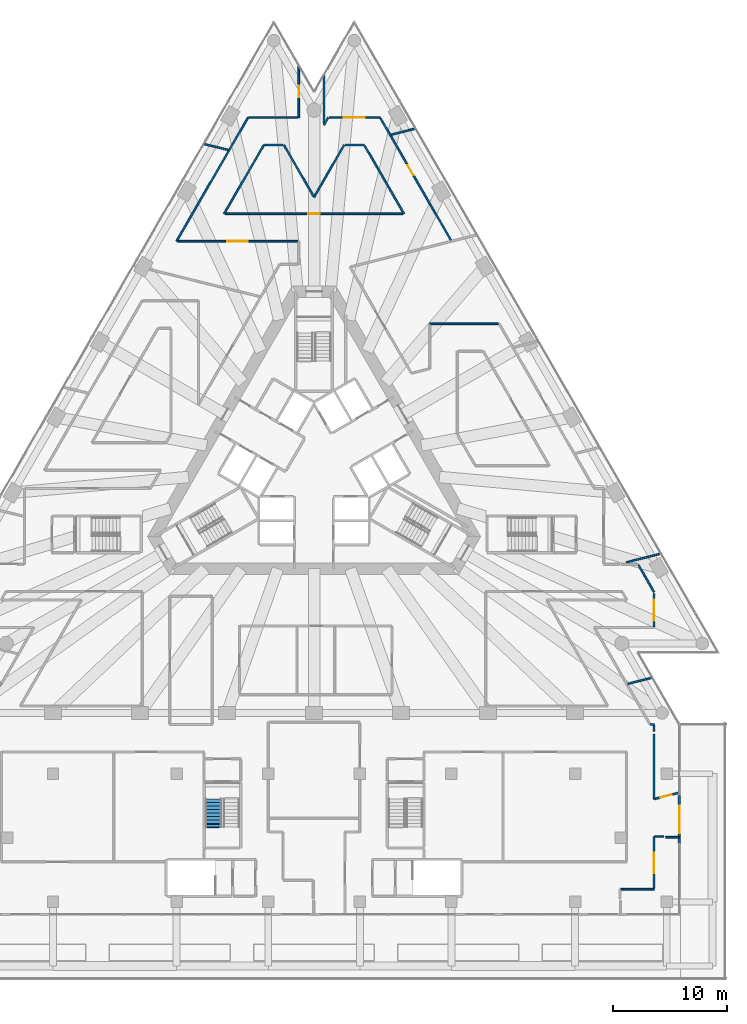
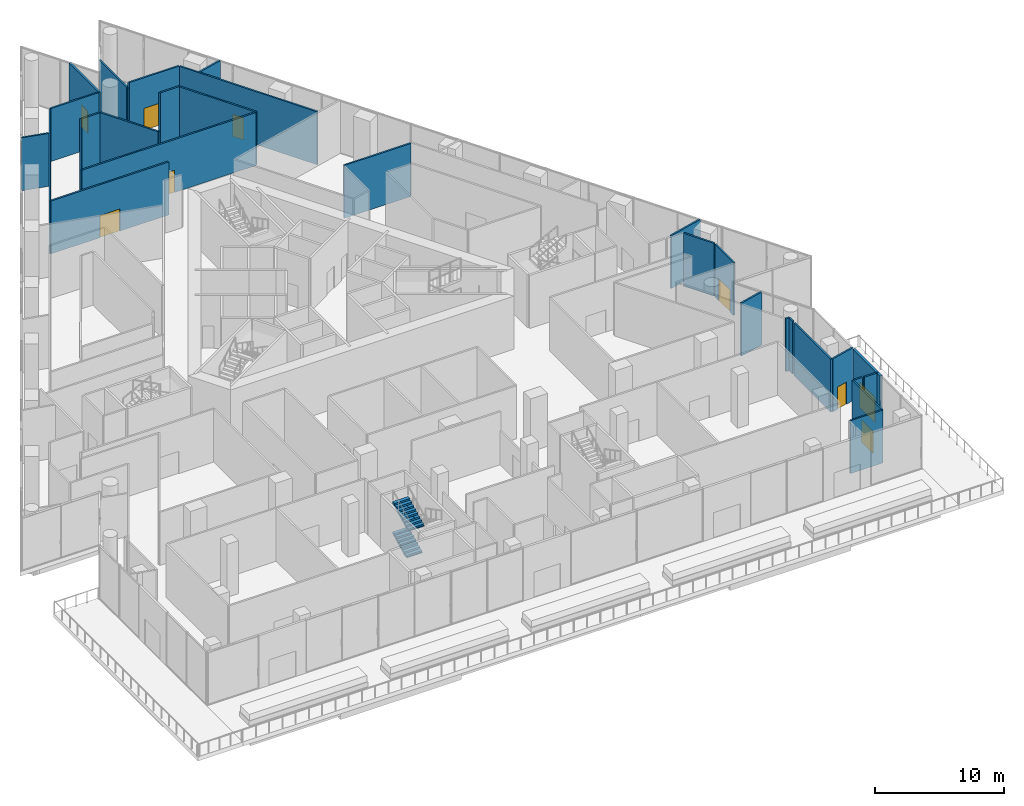
# One storey, part 26 of 32: 31 walls, 9 doors, 2 stair flights, 9 openings, 1 element without a shape of its own.
"""IFC4 building model written with IfcOpenShell, lengths in metres."""

import ifcopenshell
import ifcopenshell.guid

model = None  # the IFC model being written
_history = None  # IfcOwnerHistory: only IFC2X3 demands one
_inside = {}  # id of a spatial element -> (the spatial element, [elements in it])
_under = {}  # id of a project, library or spatial element -> (it, [spatial elements below it])
_declared = {}  # id of a project -> (the project, [libraries it declares])
_typed = {}  # id of a type object -> (the type object, [elements of that type])
_made_of = {}  # id of a material, layer set ... -> (it, [elements and type objects made of it])


def new_model(schema):
    """Start an empty IFC model of exactly this schema.

    Asked for "IFC4X3", IfcOpenShell would pick the latest addendum, in which some entities
    have other attributes; the version numbers below select the first issue.
    IFC2X3 requires an IfcOwnerHistory on every rooted entity: one is made here for all.
    """
    global model, _history
    if schema == "IFC4X3":
        model = ifcopenshell.file(schema_version=(4, 3, 0, 0))
    else:
        model = ifcopenshell.file(schema=schema)
    _inside.clear()
    _under.clear()
    _declared.clear()
    _typed.clear()
    _made_of.clear()
    _history = None
    if model.schema == "IFC2X3":
        org = make("IfcOrganization", Name="unknown")
        user = make(
            "IfcPersonAndOrganization",
            ThePerson=make("IfcPerson", FamilyName="unknown"),
            TheOrganization=org,
        )
        app = make(
            "IfcApplication",
            ApplicationDeveloper=org,
            Version="unknown",
            ApplicationFullName="unknown",
            ApplicationIdentifier="unknown",
        )
        _history = make(
            "IfcOwnerHistory",
            OwningUser=user,
            OwningApplication=app,
            ChangeAction="ADDED",
            CreationDate=0,
        )
    return model


def make(cls, **values):
    """One entity of the class cls with the attributes given. An attribute that is None is left unset."""
    return model.create_entity(
        cls, **{name: value for name, value in values.items() if value is not None}
    )


def rooted(cls, **values):
    """An entity with a GlobalId (a new one), such as an element, a storey or a relation."""
    return make(cls, GlobalId=ifcopenshell.guid.new(), OwnerHistory=_history, **values)


def si_unit(unit_type, name, prefix=None):
    """IfcSIUnit, for example si_unit("LENGTHUNIT", "METRE", prefix="MILLI")."""
    return make("IfcSIUnit", UnitType=unit_type, Prefix=prefix, Name=name)


def assignment(units):
    """IfcUnitAssignment: the units of a project."""
    return None if units is None else make("IfcUnitAssignment", Units=units)


def point(xyz):
    """IfcCartesianPoint."""
    return None if xyz is None else make("IfcCartesianPoint", Coordinates=xyz)


def direction(xyz):
    """IfcDirection."""
    return None if xyz is None else make("IfcDirection", DirectionRatios=xyz)


def frame(location, z_axis=None, x_axis=None):
    """IfcAxis2Placement3D, a coordinate frame: its origin and axes. An axis left out is left unset."""
    return make(
        "IfcAxis2Placement3D",
        Location=point(location),
        Axis=direction(z_axis),
        RefDirection=direction(x_axis),
    )


def frame_2d(location, x_axis=None):
    """IfcAxis2Placement2D, a coordinate frame in the plane: its origin and x axis."""
    return make(
        "IfcAxis2Placement2D", Location=point(location), RefDirection=direction(x_axis)
    )


def origin():
    """The frame at (0, 0, 0) with its axes left unset."""
    return frame((0.0, 0.0, 0.0))


def place(relative_to, where):
    """IfcLocalPlacement: puts the frame where relative to a parent placement (None: the world)."""
    return make(
        "IfcLocalPlacement", PlacementRelTo=relative_to, RelativePlacement=where
    )


def context(
    kind, dimensions, precision=None, world=None, true_north=None, identifier=None
):
    """IfcGeometricRepresentationContext, for example the 3D "Model" context."""
    return make(
        "IfcGeometricRepresentationContext",
        ContextIdentifier=identifier,
        ContextType=kind,
        CoordinateSpaceDimension=dimensions,
        Precision=precision,
        WorldCoordinateSystem=world,
        TrueNorth=true_north,
    )


def subcontext(parent, identifier, kind, view, scale=None):
    """IfcGeometricRepresentationSubContext, for example "Body" below "Model"."""
    return make(
        "IfcGeometricRepresentationSubContext",
        ContextIdentifier=identifier,
        ContextType=kind,
        ParentContext=parent,
        TargetScale=scale,
        TargetView=view,
    )


def project(units=None, contexts=None):
    """IfcProject with its units and contexts."""
    return rooted(
        "IfcProject",
        Name="project",
        RepresentationContexts=contexts,
        UnitsInContext=assignment(units),
    )


def spatial(cls, under=None, at=None, **own):
    """A site, building, storey or space (cls), placed at a placement, below another one or the project."""
    s = rooted(cls, ObjectPlacement=at, **own)
    if under is not None:
        _under.setdefault(under.id(), (under, []))[1].append(s)
    return s


def polyline(points):
    """IfcPolyline through the points."""
    return make("IfcPolyline", Points=[point(p) for p in points])


def profile(cls, at=None, kind="AREA", **sizes):
    """A parametric profile (cls). Its sizes go by their IFC names, for example OverallWidth=200.0."""
    return make(cls, ProfileType=kind, Position=at, **sizes)


def rectangle(**sizes):
    """IfcRectangleProfileDef."""
    return profile("IfcRectangleProfileDef", **sizes)


def outline(outer, holes=None, kind="AREA"):
    """IfcArbitraryClosedProfileDef: a profile drawn as a closed curve; with holes, ...WithVoids."""
    if holes is None:
        return make("IfcArbitraryClosedProfileDef", ProfileType=kind, OuterCurve=outer)
    return make(
        "IfcArbitraryProfileDefWithVoids",
        ProfileType=kind,
        OuterCurve=outer,
        InnerCurves=holes,
    )


def extrude(swept, where, along, depth):
    """IfcExtrudedAreaSolid: the profile swept, set in the frame where, extruded along a direction by depth."""
    return make(
        "IfcExtrudedAreaSolid",
        SweptArea=swept,
        Position=where,
        ExtrudedDirection=direction(along),
        Depth=depth,
    )


def shape(context_of_items, identifier, shape_type, items):
    """IfcShapeRepresentation: the items that make up one representation, for example the "Body"."""
    return make(
        "IfcShapeRepresentation",
        ContextOfItems=context_of_items,
        RepresentationIdentifier=identifier,
        RepresentationType=shape_type,
        Items=items,
    )


def material(Name=None, Category=None):
    """IfcMaterial."""
    return make("IfcMaterial", Name=Name, Category=Category)


def layer(
    of_material, thickness, ventilated=None, Name=None, Category=None, Priority=None
):
    """IfcMaterialLayer: one layer of a wall or slab, of a material (None: an air gap)."""
    return make(
        "IfcMaterialLayer",
        Material=of_material,
        LayerThickness=thickness,
        IsVentilated=ventilated,
        Name=Name,
        Category=Category,
        Priority=Priority,
    )


def layer_set(layers, Name=None):
    """IfcMaterialLayerSet."""
    return make("IfcMaterialLayerSet", MaterialLayers=layers, LayerSetName=Name)


def layer_usage(for_layer_set, set_direction, sense, offset, extent=None):
    """IfcMaterialLayerSetUsage: how a layer set lies in its element."""
    return make(
        "IfcMaterialLayerSetUsage",
        ForLayerSet=for_layer_set,
        LayerSetDirection=set_direction,
        DirectionSense=sense,
        OffsetFromReferenceLine=offset,
        ReferenceExtent=extent,
    )


def made_of(thing, what):
    """Note that an element or type object is made of a material, layer set ...; save() writes the relation."""
    if what is not None:
        _made_of.setdefault(what.id(), (what, []))[1].append(thing)
    return thing


def type_object(cls, material=None, **own):
    """A type object (cls), such as IfcWallType, which elements share."""
    return made_of(rooted(cls, **own), material)


def element(
    cls,
    number,
    at=None,
    inside=None,
    cuts=None,
    type_object=None,
    material=None,
    context=None,
    identifier="Body",
    shape_type=None,
    held_by="IfcProductDefinitionShape",
    body=None,
    shapes=None,
    **own,
):
    """One element of the class cls, such as IfcWall. Its Tag is "e" and its number.

    at: its placement. inside: the storey or other place that contains it. cuts: it is an
    opening in that element (IfcRelVoidsElement). A single representation is given by context,
    identifier, shape_type and body (its items); several are given by shapes. held_by: the class
    of the entity that holds the representations. save() writes the other relations.
    """
    e = rooted(cls, Tag="e%d" % number, ObjectPlacement=at, **own)
    if body is not None:
        shapes = [shape(context, identifier, shape_type, body)]
    if shapes is not None:
        e.Representation = make(held_by, Representations=shapes)
    if inside is not None:
        _inside.setdefault(inside.id(), (inside, []))[1].append(e)
    if cuts is not None:
        rooted(
            "IfcRelVoidsElement", RelatingBuildingElement=cuts, RelatedOpeningElement=e
        )
    if type_object is not None:
        _typed.setdefault(type_object.id(), (type_object, []))[1].append(e)
    return made_of(e, material)


def fill(opening, filler):
    """IfcRelFillsElement: the door or window that sits in an opening."""
    return rooted(
        "IfcRelFillsElement",
        RelatingOpeningElement=opening,
        RelatedBuildingElement=filler,
    )


def aggregate(whole, parts):
    """IfcRelAggregates: a whole, such as a stair, and the parts it consists of."""
    return rooted("IfcRelAggregates", RelatingObject=whole, RelatedObjects=parts)


def save(model, path):
    """Write the relations noted so far, then the file.

    IfcRelAggregates (storeys below a building ...), IfcRelContainedInSpatialStructure (elements
    in a storey), IfcRelDefinesByType, IfcRelAssociatesMaterial and IfcRelDeclares: one each for
    every whole, place, type object, material and project.
    """
    for whole, parts in _under.values():
        aggregate(whole, parts)
    for where, things in _inside.values():
        rooted(
            "IfcRelContainedInSpatialStructure",
            RelatedElements=things,
            RelatingStructure=where,
        )
    for kind, things in _typed.values():
        rooted("IfcRelDefinesByType", RelatedObjects=things, RelatingType=kind)
    for what, things in _made_of.values():
        rooted("IfcRelAssociatesMaterial", RelatedObjects=things, RelatingMaterial=what)
    for by, libraries in _declared.values():
        rooted("IfcRelDeclares", RelatingContext=by, RelatedDefinitions=libraries)
    model.write(path)


model = new_model("IFC4")

# Units and contexts
model_context = context("Model", 3, precision=1e-05, world=origin(), true_north=direction((0.0, 1.0)))
body_context = subcontext(model_context, "Body", "Model", "MODEL_VIEW")
ifc_project = project(units=[si_unit("LENGTHUNIT", "METRE"), si_unit("AREAUNIT", "SQUARE_METRE"), si_unit("VOLUMEUNIT", "CUBIC_METRE"), si_unit("PLANEANGLEUNIT", "RADIAN"), si_unit("MASSUNIT", "GRAM", prefix="KILO")], contexts=[model_context])

# Site, building, storey
site_placement = place(None, origin())
site = spatial("IfcSite", under=ifc_project, at=site_placement, CompositionType="ELEMENT")
building_placement = place(site_placement, origin())
building = spatial("IfcBuilding", under=site, at=building_placement, Name="Triada Interchange Tower", CompositionType="ELEMENT")
storey_placement = place(building_placement, frame((0.0, 0.0, 14.5)))
storey = spatial("IfcBuildingStorey", under=building, at=storey_placement, Name="L02", CompositionType="ELEMENT", Elevation=14.5)

# Wall, opening, door
ifc_material_1 = material(Name="Cement board")
ifc_layer_1 = layer(ifc_material_1, 0.02001953125, Name="Cement board cladding")
ifc_material_2 = material(Name="Sheathing board")
ifc_layer_2 = layer(ifc_material_2, 0.014892578125, Name="Sheathing board")
ifc_material_3 = material(Name="Mineral wool")
ifc_layer_3 = layer(ifc_material_3, 0.14990234375, Name="Mineral wool between steel studs")
ifc_material_4 = material(Name="Gypsum board")
ifc_layer_4 = layer(ifc_material_4, 0.014892578125, Name="Plasterboard lining")
ifc_layer_set_1 = layer_set([ifc_layer_1, ifc_layer_2, ifc_layer_3, ifc_layer_4], Name="External wall 200")
ifc_layer_usage = layer_usage(ifc_layer_set_1, "AXIS2", "POSITIVE", -0.10009765625)
wall_type_1 = type_object("IfcWallType", Name="External wall 200", PredefinedType="ELEMENTEDWALL", material=ifc_layer_set_1)
wall_1_placement = place(storey_placement, frame((31.89990234375, -33.0, 0.0), z_axis=(0.0, 0.0, 1.0), x_axis=(0.0, 1.0, 0.0)))
wall_1 = element("IfcWall", 1, at=wall_1_placement, inside=storey, type_object=wall_type_1, material=ifc_layer_usage, Name="External wall L02 01.1", PredefinedType="ELEMENTEDWALL", context=body_context, shape_type="SweptSolid", body=[
    extrude(rectangle(XDim=4.199951171875, YDim=0.199951171875, at=frame_2d((2.10009765625, 0.0))), origin(), (0.0, 0.0, 1.0), 5.0),
])
opening_1_placement = place(wall_1_placement, frame((0.89990234375, 0.0, 0.0)))
opening_1 = element("IfcOpeningElement", 2, at=opening_1_placement, cuts=wall_1, Name="Opening DX42", PredefinedType="OPENING", context=body_context, shape_type="SweptSolid", body=[
    extrude(rectangle(XDim=2.39990234375, YDim=2.39990234375, at=frame_2d((1.199951171875, 1.199951171875))), frame((0.0, 0.10986328125, 0.0), z_axis=(0.0, -1.0, 0.0), x_axis=(1.0, 0.0, 0.0)), (0.0, 0.0, 1.0), 0.219970703125),
])
ifc_material_5 = material(Name="Aluminium and glass", Category="aluminium")
door_type_1 = type_object("IfcDoorType", Name="Terrace door double", OperationType="DOUBLE_DOOR_SINGLE_SWING", PredefinedType="DOOR", material=ifc_material_5)
door_1_placement = place(opening_1_placement, frame((2.39990234375, 0.0, 0.0), z_axis=(0.0, 0.0, 1.0), x_axis=(-1.0, 0.0, 0.0)))
door_1 = element("IfcDoor", 3, at=door_1_placement, inside=storey, type_object=door_type_1, Name="Door DX42 L02", OperationType="DOUBLE_DOOR_SINGLE_SWING", OverallHeight=2.39990234375, OverallWidth=2.39990234375, PredefinedType="DOOR", context=body_context, shape_type="SweptSolid", body=[
    extrude(rectangle(XDim=2.39990234375, YDim=2.39990234375, at=frame_2d((1.199951171875, 1.199951171875))), frame((0.0, 0.02490234375, 0.0), z_axis=(0.0, -1.0, 0.0), x_axis=(1.0, 0.0, 0.0)), (0.0, 0.0, 1.0), 0.050048828125),
])
fill(opening_1, door_1)

# Walls
ifc_material_6 = material(Name="Gypsum board partition")
ifc_layer_5 = layer(ifc_material_6, 0.14990234375)
ifc_layer_set_2 = layer_set([ifc_layer_5], Name="PARTITION 150")
wall_type_2 = type_object("IfcWallType", Name="PARTITION 150", PredefinedType="PARTITIONING", material=ifc_layer_set_2)
wall_2_placement = place(storey_placement, frame((-9.638916015625, 28.10400390625, 0.0), z_axis=(0.0, 0.0, 1.0), x_axis=(0.970980584994, -0.239158323219, 0.0)))
element("IfcWall", 4, at=wall_2_placement, inside=storey, type_object=wall_type_2, Name="Wall L02 57", PredefinedType="PARTITIONING", context=body_context, shape_type="SweptSolid", body=[
    extrude(rectangle(XDim=2.212158203125, YDim=0.14990234375, at=frame_2d((1.10595703125, 0.0))), origin(), (0.0, 0.0, 1.0), 5.0),
])
wall_3_placement = place(storey_placement, frame((6.72607421875, 28.89990234375, 0.0), z_axis=(0.0, 0.0, 1.0), x_axis=(0.969125534663, 0.246567836636, 0.0)))
element("IfcWall", 5, at=wall_3_placement, inside=storey, type_object=wall_type_2, Name="Wall L02 85", PredefinedType="PARTITIONING", context=body_context, shape_type="SweptSolid", body=[
    extrude(rectangle(XDim=2.20703125, YDim=0.14990234375, at=frame_2d((1.103515625, 0.0))), origin(), (0.0, 0.0, 1.0), 5.0),
])
wall_4_placement = place(storey_placement, frame((27.39990234375, -19.05908203125, 0.0), z_axis=(0.0, 0.0, 1.0), x_axis=(0.969159133182, 0.246435741258, 0.0)))
element("IfcWall", 6, at=wall_4_placement, inside=storey, type_object=wall_type_2, Name="Wall L02 109", PredefinedType="PARTITIONING", context=body_context, shape_type="SweptSolid", body=[
    extrude(rectangle(XDim=2.208251953125, YDim=0.14990234375, at=frame_2d((1.10400390625, 0.0))), origin(), (0.0, 0.0, 1.0), 5.0),
])
ifc_layer_6 = layer(ifc_material_6, 0.14990234375)
ifc_layer_set_3 = layer_set([ifc_layer_6], Name="PARTITION 150 EI 90")
wall_type_3 = type_object("IfcWallType", Name="PARTITION 150 EI 90", PredefinedType="PARTITIONING", material=ifc_layer_set_3)
wall_5_placement = place(storey_placement, frame((0.867919921875, 29.759033203125, 0.0), z_axis=(0.0, 0.0, 1.0), x_axis=(0.500529943435, 0.865719224533, 0.0)))
element("IfcWall", 7, at=wall_5_placement, inside=storey, type_object=wall_type_3, Name="Wall L02 22", PredefinedType="PARTITIONING", context=body_context, shape_type="SweptSolid", body=[
    extrude(rectangle(XDim=0.741455078125, YDim=0.14990234375, at=frame_2d((0.37060546875, 0.0))), origin(), (0.0, 0.0, 1.0), 5.0),
])
wall_6_placement = place(storey_placement, frame((29.35791015625, -22.60009765625, 0.0), z_axis=(0.0, 0.0, 1.0), x_axis=(1.0, 0.0, 0.0)))
element("IfcWall", 8, at=wall_6_placement, inside=storey, type_object=wall_type_3, Name="Wall L02 25", PredefinedType="PARTITIONING", context=body_context, shape_type="SweptSolid", body=[
    extrude(rectangle(XDim=0.342041015625, YDim=0.14990234375, at=frame_2d((0.1708984375, 0.0))), origin(), (0.0, 0.0, 1.0), 5.0),
])
wall_7_placement = place(storey_placement, frame((-12.009033203125, 19.60009765625, 0.0), z_axis=(0.0, 0.0, 1.0), x_axis=(0.50004894341, 0.86599714445, 0.0)))
element("IfcWall", 9, at=wall_7_placement, inside=storey, type_object=wall_type_3, Name="Wall L02 37", PredefinedType="PARTITIONING", context=body_context, shape_type="SweptSolid", body=[
    extrude(rectangle(XDim=12.470947265625, YDim=0.14990234375, at=frame_2d((6.2353515625, 0.0))), origin(), (0.0, 0.0, 1.0), 5.0),
])

# Wall, opening, door
wall_8_placement = place(storey_placement, frame((-1.330078125, 30.39990234375, 0.0), z_axis=(0.0, 0.0, 1.0), x_axis=(0.0, 1.0, 0.0)))
wall_8 = element("IfcWall", 10, at=wall_8_placement, inside=storey, type_object=wall_type_3, Name="Wall L02 59", PredefinedType="PARTITIONING", context=body_context, shape_type="SweptSolid", body=[
    extrude(rectangle(XDim=4.552978515625, YDim=0.14990234375, at=frame_2d((2.2763671875, 0.0))), origin(), (0.0, 0.0, 1.0), 5.0),
])
opening_2_placement = place(wall_8_placement, frame((1.777099609375, 0.0, 0.0)))
opening_2 = element("IfcOpeningElement", 11, at=opening_2_placement, cuts=wall_8, Name="Opening D02-38", PredefinedType="OPENING", context=body_context, shape_type="SweptSolid", body=[
    extrude(rectangle(XDim=1.0, YDim=2.10009765625, at=frame_2d((0.5, 1.050048828125))), frame((0.0, 0.0849609375, 0.0), z_axis=(0.0, -1.0, 0.0), x_axis=(1.0, 0.0, 0.0)), (0.0, 0.0, 1.0), 0.169921875),
])
ifc_material_7 = material(Name="Steel S235 door leaf", Category="steel")
door_type_2 = type_object("IfcDoorType", Name="ROOM DOOR 1000 EI2 45-C5S200", OperationType="NOTDEFINED", PredefinedType="DOOR", material=ifc_material_7)
door_2_placement = place(opening_2_placement, origin())
door_2 = element("IfcDoor", 12, at=door_2_placement, inside=storey, type_object=door_type_2, Name="Door D02-38 L02", OperationType="SINGLE_SWING_RIGHT", OverallHeight=2.10009765625, OverallWidth=1.0, PredefinedType="DOOR", context=body_context, shape_type="SweptSolid", body=[
    extrude(rectangle(XDim=1.0, YDim=2.10009765625, at=frame_2d((0.5, 1.050048828125))), frame((0.0, 0.02490234375, 0.0), z_axis=(0.0, -1.0, 0.0), x_axis=(1.0, 0.0, 0.0)), (0.0, 0.0, 1.0), 0.050048828125),
])
fill(opening_2, door_2)

# Wall
wall_9_placement = place(storey_placement, frame((-5.68701171875, 30.39990234375, 0.0), z_axis=(0.0, 0.0, 1.0), x_axis=(1.0, 0.0, 0.0)))
element("IfcWall", 13, at=wall_9_placement, inside=storey, type_object=wall_type_3, Name="Wall L02 60", PredefinedType="PARTITIONING", context=body_context, shape_type="SweptSolid", body=[
    extrude(rectangle(XDim=4.281982421875, YDim=0.14990234375, at=frame_2d((2.14111328125, 0.0))), origin(), (0.0, 0.0, 1.0), 5.0),
])

# Wall, opening, door
wall_10_placement = place(storey_placement, frame((1.327880859375, 30.39990234375, 0.0), z_axis=(0.0, 0.0, 1.0), x_axis=(1.0, 0.0, 0.0)))
wall_10 = element("IfcWall", 14, at=wall_10_placement, inside=storey, type_object=wall_type_3, Name="Wall L02 61", PredefinedType="PARTITIONING", context=body_context, shape_type="SweptSolid", body=[
    extrude(rectangle(XDim=4.445068359375, YDim=0.14990234375, at=frame_2d((2.22265625, 0.0))), origin(), (0.0, 0.0, 1.0), 5.0),
])
opening_3_placement = place(wall_10_placement, frame((1.279052734375, 0.0, 0.0)))
opening_3 = element("IfcOpeningElement", 15, at=opening_3_placement, cuts=wall_10, Name="Opening D02-51", PredefinedType="OPENING", context=body_context, shape_type="SweptSolid", body=[
    extrude(rectangle(XDim=1.800048828125, YDim=2.10009765625, at=frame_2d((0.89990234375, 1.050048828125))), frame((0.0, 0.0849609375, 0.0), z_axis=(0.0, -1.0, 0.0), x_axis=(1.0, 0.0, 0.0)), (0.0, 0.0, 1.0), 0.169921875),
])
door_type_3 = type_object("IfcDoorType", Name="SHOP AND HALL ENTRANCE DOOR 1800 EI2 90-C5S200", OperationType="DOUBLE_DOOR_SINGLE_SWING", PredefinedType="DOOR", material=ifc_material_7)
door_3_placement = place(opening_3_placement, origin())
door_3 = element("IfcDoor", 16, at=door_3_placement, inside=storey, type_object=door_type_3, Name="Door D02-51 L02", OperationType="DOUBLE_DOOR_SINGLE_SWING", OverallHeight=2.10009765625, OverallWidth=1.800048828125, PredefinedType="DOOR", context=body_context, shape_type="SweptSolid", body=[
    extrude(rectangle(XDim=1.800048828125, YDim=2.10009765625, at=frame_2d((0.89990234375, 1.050048828125))), frame((0.0, 0.02490234375, 0.0), z_axis=(0.0, -1.0, 0.0), x_axis=(1.0, 0.0, 0.0)), (0.0, 0.0, 1.0), 0.050048828125),
])
fill(opening_3, door_3)

wall_11_placement = place(storey_placement, frame((-11.922119140625, 19.60009765625, 0.0), z_axis=(0.0, 0.0, 1.0), x_axis=(1.0, 0.0, 0.0)))
wall_11 = element("IfcWall", 17, at=wall_11_placement, inside=storey, type_object=wall_type_3, Name="Wall L02 62", PredefinedType="PARTITIONING", context=body_context, shape_type="SweptSolid", body=[
    extrude(rectangle(XDim=10.51708984375, YDim=0.14990234375, at=frame_2d((5.258544921875, 0.0))), origin(), (0.0, 0.0, 1.0), 5.0),
])
opening_4_placement = place(wall_11_placement, frame((4.35302734375, 0.0, 0.0)))
opening_4 = element("IfcOpeningElement", 18, at=opening_4_placement, cuts=wall_11, Name="Opening D02-39", PredefinedType="OPENING", context=body_context, shape_type="SweptSolid", body=[
    extrude(rectangle(XDim=1.800048828125, YDim=2.10009765625, at=frame_2d((0.89990234375, 1.050048828125))), frame((0.0, 0.0849609375, 0.0), z_axis=(0.0, -1.0, 0.0), x_axis=(1.0, 0.0, 0.0)), (0.0, 0.0, 1.0), 0.169921875),
])
door_4_placement = place(opening_4_placement, origin())
door_4 = element("IfcDoor", 19, at=door_4_placement, inside=storey, type_object=door_type_3, Name="Door D02-39 L02", OperationType="DOUBLE_DOOR_SINGLE_SWING", OverallHeight=2.10009765625, OverallWidth=1.800048828125, PredefinedType="DOOR", context=body_context, shape_type="SweptSolid", body=[
    extrude(rectangle(XDim=1.800048828125, YDim=2.10009765625, at=frame_2d((0.89990234375, 1.050048828125))), frame((0.0, 0.02490234375, 0.0), z_axis=(0.0, -1.0, 0.0), x_axis=(1.0, 0.0, 0.0)), (0.0, 0.0, 1.0), 0.050048828125),
])
fill(opening_4, door_4)

wall_12_placement = place(storey_placement, frame((5.81591796875, 30.324951171875, 0.0), z_axis=(0.0, 0.0, 1.0), x_axis=(0.500075634353, -0.865981731866, 0.0)))
wall_12 = element("IfcWall", 20, at=wall_12_placement, inside=storey, type_object=wall_type_3, Name="Wall L02 78", PredefinedType="PARTITIONING", context=body_context, shape_type="SweptSolid", body=[
    extrude(rectangle(XDim=12.30615234375, YDim=0.14990234375, at=frame_2d((6.153076171875, 0.0))), origin(), (0.0, 0.0, 1.0), 5.0),
])
opening_5_placement = place(wall_12_placement, frame((4.721923828125, 0.0, 0.0)))
opening_5 = element("IfcOpeningElement", 21, at=opening_5_placement, cuts=wall_12, Name="Opening D02-50", PredefinedType="OPENING", context=body_context, shape_type="SweptSolid", body=[
    extrude(rectangle(XDim=1.0, YDim=2.10009765625, at=frame_2d((0.5, 1.050048828125))), frame((0.0, 0.0849609375, 0.0), z_axis=(0.0, -1.0, 0.0), x_axis=(1.0, 0.0, 0.0)), (0.0, 0.0, 1.0), 0.169921875),
])
door_type_4 = type_object("IfcDoorType", Name="ROOM DOOR 1000 EI2 90-C5S200", OperationType="NOTDEFINED", PredefinedType="DOOR", material=ifc_material_7)
door_5_placement = place(opening_5_placement, origin())
door_5 = element("IfcDoor", 22, at=door_5_placement, inside=storey, type_object=door_type_4, Name="Door D02-50 L02", OperationType="SINGLE_SWING_RIGHT", OverallHeight=2.10009765625, OverallWidth=1.0, PredefinedType="DOOR", context=body_context, shape_type="SweptSolid", body=[
    extrude(rectangle(XDim=1.0, YDim=2.10009765625, at=frame_2d((0.5, 1.050048828125))), frame((0.0, 0.02490234375, 0.0), z_axis=(0.0, -1.0, 0.0), x_axis=(1.0, 0.0, 0.0)), (0.0, 0.0, 1.0), 0.050048828125),
])
fill(opening_5, door_5)

# Walls
wall_13_placement = place(storey_placement, frame((28.333984375, -8.675048828125, 0.0), z_axis=(0.0, 0.0, 1.0), x_axis=(0.499838457731, -0.86611865017, 0.0)))
element("IfcWall", 23, at=wall_13_placement, inside=storey, type_object=wall_type_3, Name="Wall L02 80", PredefinedType="PARTITIONING", context=body_context, shape_type="SweptSolid", body=[
    extrude(rectangle(XDim=2.73291015625, YDim=0.14990234375, at=frame_2d((1.366455078125, 0.0))), origin(), (0.0, 0.0, 1.0), 5.0),
])
wall_14_placement = place(storey_placement, frame((0.8701171875, 29.906982421875, 0.0), z_axis=(0.0, 0.0, 1.0), x_axis=(0.0, 1.0, 0.0)))
element("IfcWall", 24, at=wall_14_placement, inside=storey, type_object=wall_type_3, Name="Wall L02 81", PredefinedType="PARTITIONING", context=body_context, shape_type="SweptSolid", body=[
    extrude(rectangle(XDim=4.2509765625, YDim=0.14990234375, at=frame_2d((2.12548828125, 0.0))), origin(), (0.0, 0.0, 1.0), 5.0),
])
wall_15_placement = place(storey_placement, frame((10.10009765625, 12.39990234375, 0.0), z_axis=(0.0, 0.0, 1.0), x_axis=(1.0, 0.0, 0.0)))
element("IfcWall", 25, at=wall_15_placement, inside=storey, type_object=wall_type_3, Name="Wall L02 88", PredefinedType="PARTITIONING", context=body_context, shape_type="SweptSolid", body=[
    extrude(rectangle(XDim=5.97900390625, YDim=0.14990234375, at=frame_2d((2.989501953125, 0.0))), origin(), (0.0, 0.0, 1.0), 5.0),
])
wall_16_placement = place(storey_placement, frame((27.26806640625, -8.449951171875, 0.0), z_axis=(0.0, 0.0, 1.0), x_axis=(0.969212436765, 0.246226018974, 0.0)))
element("IfcWall", 26, at=wall_16_placement, inside=storey, type_object=wall_type_3, Name="Wall L02 97", PredefinedType="PARTITIONING", context=body_context, shape_type="SweptSolid", body=[
    extrude(rectangle(XDim=3.127197265625, YDim=0.14990234375, at=frame_2d((1.5634765625, 0.0))), origin(), (0.0, 0.0, 1.0), 5.0),
])
wall_17_placement = place(storey_placement, frame((26.800048828125, -37.0, 0.0), z_axis=(0.0, 0.0, 1.0), x_axis=(1.0, 0.0, 0.0)))
element("IfcWall", 27, at=wall_17_placement, inside=storey, type_object=wall_type_3, Name="Wall L02 101", PredefinedType="PARTITIONING", context=body_context, shape_type="SweptSolid", body=[
    extrude(rectangle(XDim=2.89990234375, YDim=0.14990234375, at=frame_2d((1.449951171875, 0.0))), origin(), (0.0, 0.0, 1.0), 5.0),
])

# Wall, opening, door
wall_18_placement = place(storey_placement, frame((29.699951171875, -36.925048828125, 0.0), z_axis=(0.0, 0.0, 1.0), x_axis=(0.0, 1.0, 0.0)))
wall_18 = element("IfcWall", 28, at=wall_18_placement, inside=storey, type_object=wall_type_3, Name="Wall L02 102", PredefinedType="PARTITIONING", context=body_context, shape_type="SweptSolid", body=[
    extrude(rectangle(XDim=4.525146484375, YDim=0.14990234375, at=frame_2d((2.2626953125, 0.0))), origin(), (0.0, 0.0, 1.0), 5.0),
])
opening_6_placement = place(wall_18_placement, frame((1.324951171875, 0.0, 0.0)))
opening_6 = element("IfcOpeningElement", 29, at=opening_6_placement, cuts=wall_18, Name="Opening D02-44", PredefinedType="OPENING", context=body_context, shape_type="SweptSolid", body=[
    extrude(rectangle(XDim=1.800048828125, YDim=2.10009765625, at=frame_2d((0.89990234375, 1.050048828125))), frame((0.0, 0.0849609375, 0.0), z_axis=(0.0, -1.0, 0.0), x_axis=(1.0, 0.0, 0.0)), (0.0, 0.0, 1.0), 0.169921875),
])
door_6_placement = place(opening_6_placement, origin())
door_6 = element("IfcDoor", 30, at=door_6_placement, inside=storey, type_object=door_type_3, Name="Door D02-44 L02", OperationType="DOUBLE_DOOR_SINGLE_SWING", OverallHeight=2.10009765625, OverallWidth=1.800048828125, PredefinedType="DOOR", context=body_context, shape_type="SweptSolid", body=[
    extrude(rectangle(XDim=1.800048828125, YDim=2.10009765625, at=frame_2d((0.89990234375, 1.050048828125))), frame((0.0, 0.02490234375, 0.0), z_axis=(0.0, -1.0, 0.0), x_axis=(1.0, 0.0, 0.0)), (0.0, 0.0, 1.0), 0.050048828125),
])
fill(opening_6, door_6)

# Walls
wall_19_placement = place(storey_placement, frame((29.699951171875, -29.116943359375, 0.0), z_axis=(0.0, 0.0, 1.0), x_axis=(0.0, 1.0, 0.0)))
element("IfcWall", 31, at=wall_19_placement, inside=storey, type_object=wall_type_3, Name="Wall L02 103", PredefinedType="PARTITIONING", context=body_context, shape_type="SweptSolid", body=[
    extrude(rectangle(XDim=5.641845703125, YDim=0.14990234375, at=frame_2d((2.82080078125, 0.0))), origin(), (0.0, 0.0, 1.0), 5.0),
])
wall_20_placement = place(storey_placement, frame((29.699951171875, -23.19189453125, 0.0), z_axis=(0.0, 0.0, 1.0), x_axis=(0.0, 1.0, 0.0)))
element("IfcWall", 32, at=wall_20_placement, inside=storey, type_object=wall_type_3, Name="Wall L02 104", PredefinedType="PARTITIONING", context=body_context, shape_type="SweptSolid", body=[
    extrude(rectangle(XDim=0.516845703125, YDim=0.14990234375, at=frame_2d((0.25830078125, 0.0))), origin(), (0.0, 0.0, 1.0), 5.0),
])

# Wall, opening, door
wall_21_placement = place(storey_placement, frame((29.699951171875, -14.050048828125, 0.0), z_axis=(0.0, 0.0, 1.0), x_axis=(0.0, 1.0, 0.0)))
wall_21 = element("IfcWall", 33, at=wall_21_placement, inside=storey, type_object=wall_type_3, Name="Wall L02 105", PredefinedType="PARTITIONING", context=body_context, shape_type="SweptSolid", body=[
    extrude(rectangle(XDim=2.858154296875, YDim=0.14990234375, at=frame_2d((1.42919921875, 0.0))), origin(), (0.0, 0.0, 1.0), 5.0),
])
opening_7_placement = place(wall_21_placement, frame((0.52490234375, 0.0, 0.0)))
opening_7 = element("IfcOpeningElement", 34, at=opening_7_placement, cuts=wall_21, Name="Opening D02-46", PredefinedType="OPENING", context=body_context, shape_type="SweptSolid", body=[
    extrude(rectangle(XDim=1.800048828125, YDim=2.10009765625, at=frame_2d((0.89990234375, 1.050048828125))), frame((0.0, 0.0849609375, 0.0), z_axis=(0.0, -1.0, 0.0), x_axis=(1.0, 0.0, 0.0)), (0.0, 0.0, 1.0), 0.169921875),
])
door_7_placement = place(opening_7_placement, origin())
door_7 = element("IfcDoor", 35, at=door_7_placement, inside=storey, type_object=door_type_3, Name="Door D02-46 L02", OperationType="DOUBLE_DOOR_SINGLE_SWING", OverallHeight=2.10009765625, OverallWidth=1.800048828125, PredefinedType="DOOR", context=body_context, shape_type="SweptSolid", body=[
    extrude(rectangle(XDim=1.800048828125, YDim=2.10009765625, at=frame_2d((0.89990234375, 1.050048828125))), frame((0.0, 0.02490234375, 0.0), z_axis=(0.0, -1.0, 0.0), x_axis=(1.0, 0.0, 0.0)), (0.0, 0.0, 1.0), 0.050048828125),
])
fill(opening_7, door_7)

# Walls
wall_22_placement = place(storey_placement, frame((29.77490234375, -32.39990234375, 0.0), z_axis=(0.0, 0.0, 1.0), x_axis=(1.0, 0.0, 0.0)))
element("IfcWall", 36, at=wall_22_placement, inside=storey, type_object=wall_type_3, Name="Wall L02 106", PredefinedType="PARTITIONING", context=body_context, shape_type="SweptSolid", body=[
    extrude(rectangle(XDim=0.74609375, YDim=0.14990234375, at=frame_2d((0.373046875, 0.0))), origin(), (0.0, 0.0, 1.0), 5.0),
])
wall_23_placement = place(storey_placement, frame((30.699951171875, -32.449951171875, 0.0), z_axis=(0.0, 0.0, 1.0), x_axis=(1.0, 0.0, 0.0)))
element("IfcWall", 37, at=wall_23_placement, inside=storey, type_object=wall_type_3, Name="Wall L02 107", PredefinedType="PARTITIONING", context=body_context, shape_type="SweptSolid", body=[
    extrude(rectangle(XDim=1.199951171875, YDim=0.14990234375, at=frame_2d((0.60009765625, 0.0))), origin(), (0.0, 0.0, 1.0), 5.0),
])

# Wall, opening, door
wall_24_placement = place(storey_placement, frame((29.77490234375, -29.097900390625, 0.0), z_axis=(0.0, 0.0, 1.0), x_axis=(0.969218538946, 0.246201997887, 0.0)))
wall_24 = element("IfcWall", 38, at=wall_24_placement, inside=storey, type_object=wall_type_3, Name="Wall L02 110", PredefinedType="PARTITIONING", context=body_context, shape_type="SweptSolid", body=[
    extrude(rectangle(XDim=2.1923828125, YDim=0.14990234375, at=frame_2d((1.09619140625, 0.0))), origin(), (0.0, 0.0, 1.0), 5.0),
])
opening_8_placement = place(wall_24_placement, frame((0.492919921875, 0.0, 0.0)))
opening_8 = element("IfcOpeningElement", 39, at=opening_8_placement, cuts=wall_24, Name="Opening D02-45", PredefinedType="OPENING", context=body_context, shape_type="SweptSolid", body=[
    extrude(rectangle(XDim=1.0, YDim=2.10009765625, at=frame_2d((0.5, 1.050048828125))), frame((0.0, 0.0849609375, 0.0), z_axis=(0.0, -1.0, 0.0), x_axis=(1.0, 0.0, 0.0)), (0.0, 0.0, 1.0), 0.169921875),
])
door_8_placement = place(opening_8_placement, origin())
door_8 = element("IfcDoor", 40, at=door_8_placement, inside=storey, type_object=door_type_4, Name="Door D02-45 L02", OperationType="SINGLE_SWING_RIGHT", OverallHeight=2.10009765625, OverallWidth=1.0, PredefinedType="DOOR", context=body_context, shape_type="SweptSolid", body=[
    extrude(rectangle(XDim=1.0, YDim=2.10009765625, at=frame_2d((0.5, 1.050048828125))), frame((0.0, 0.02490234375, 0.0), z_axis=(0.0, -1.0, 0.0), x_axis=(1.0, 0.0, 0.0)), (0.0, 0.0, 1.0), 0.050048828125),
])
fill(opening_8, door_8)

# Walls
wall_25_placement = place(storey_placement, frame((-7.85205078125, 22.0, 0.0), z_axis=(0.0, 0.0, 1.0), x_axis=(0.500001051461, 0.866024796723, 0.0)))
element("IfcWall", 41, at=wall_25_placement, inside=storey, type_object=wall_type_3, Name="Wall L02 113", PredefinedType="PARTITIONING", context=body_context, shape_type="SweptSolid", body=[
    extrude(rectangle(XDim=6.92822265625, YDim=0.14990234375, at=frame_2d((3.464111328125, 0.0))), origin(), (0.0, 0.0, 1.0), 5.0),
])
wall_26_placement = place(storey_placement, frame((-0.0029296875, 23.450927734375, 0.0), z_axis=(0.0, 0.0, 1.0), x_axis=(0.500136703138, 0.865946463804, 0.0)))
element("IfcWall", 42, at=wall_26_placement, inside=storey, type_object=wall_type_3, Name="Wall L02 120", PredefinedType="PARTITIONING", context=body_context, shape_type="SweptSolid", body=[
    extrude(rectangle(XDim=5.25439453125, YDim=0.14990234375, at=frame_2d((2.627197265625, 0.0))), origin(), (0.0, 0.0, 1.0), 5.0),
])
wall_27_placement = place(storey_placement, frame((-2.626953125, 28.0, 0.0), z_axis=(0.0, 0.0, 1.0), x_axis=(0.499959617396, -0.866048717436, 0.0)))
element("IfcWall", 43, at=wall_27_placement, inside=storey, type_object=wall_type_3, Name="Wall L02 130", PredefinedType="PARTITIONING", context=body_context, shape_type="SweptSolid", body=[
    extrude(rectangle(XDim=5.16845703125, YDim=0.14990234375, at=frame_2d((2.584228515625, 0.0))), origin(), (0.0, 0.0, 1.0), 5.0),
])
wall_28_placement = place(storey_placement, frame((-4.301025390625, 28.0, 0.0), z_axis=(0.0, 0.0, 1.0), x_axis=(1.0, 0.0, 0.0)))
element("IfcWall", 44, at=wall_28_placement, inside=storey, type_object=wall_type_3, Name="Wall L02 132", PredefinedType="PARTITIONING", context=body_context, shape_type="SweptSolid", body=[
    extrude(rectangle(XDim=1.5869140625, YDim=0.14990234375, at=frame_2d((0.79345703125, 0.0))), origin(), (0.0, 0.0, 1.0), 5.0),
])
wall_29_placement = place(storey_placement, frame((2.714111328125, 28.0, 0.0), z_axis=(0.0, 0.0, 1.0), x_axis=(1.0, 0.0, 0.0)))
element("IfcWall", 45, at=wall_29_placement, inside=storey, type_object=wall_type_3, Name="Wall L02 133", PredefinedType="PARTITIONING", context=body_context, shape_type="SweptSolid", body=[
    extrude(rectangle(XDim=1.673828125, YDim=0.14990234375, at=frame_2d((0.8369140625, 0.0))), origin(), (0.0, 0.0, 1.0), 5.0),
])
wall_30_placement = place(storey_placement, frame((4.430908203125, 27.925048828125, 0.0), z_axis=(0.0, 0.0, 1.0), x_axis=(0.500034424931, -0.866005527629, 0.0)))
element("IfcWall", 46, at=wall_30_placement, inside=storey, type_object=wall_type_3, Name="Wall L02 134", PredefinedType="PARTITIONING", context=body_context, shape_type="SweptSolid", body=[
    extrude(rectangle(XDim=6.841796875, YDim=0.14990234375, at=frame_2d((3.4208984375, 0.0))), origin(), (0.0, 0.0, 1.0), 5.0),
])

# Wall, opening, door
wall_31_placement = place(storey_placement, frame((-7.764892578125, 22.0, 0.0), z_axis=(0.0, 0.0, 1.0), x_axis=(1.0, 0.0, 0.0)))
wall_31 = element("IfcWall", 47, at=wall_31_placement, inside=storey, type_object=wall_type_3, Name="Wall L02 137", PredefinedType="PARTITIONING", context=body_context, shape_type="SweptSolid", body=[
    extrude(rectangle(XDim=15.52978515625, YDim=0.14990234375, at=frame_2d((7.764892578125, 0.0))), origin(), (0.0, 0.0, 1.0), 5.0),
])
opening_9_placement = place(wall_31_placement, frame((7.264892578125, 0.0, 0.0)))
opening_9 = element("IfcOpeningElement", 48, at=opening_9_placement, cuts=wall_31, Name="Opening D02-34", PredefinedType="OPENING", context=body_context, shape_type="SweptSolid", body=[
    extrude(rectangle(XDim=1.0, YDim=2.10009765625, at=frame_2d((0.5, 1.050048828125))), frame((0.0, 0.0849609375, 0.0), z_axis=(0.0, -1.0, 0.0), x_axis=(1.0, 0.0, 0.0)), (0.0, 0.0, 1.0), 0.169921875),
])
door_9_placement = place(opening_9_placement, origin())
door_9 = element("IfcDoor", 49, at=door_9_placement, inside=storey, type_object=door_type_2, Name="Door D02-34 L02", OperationType="SINGLE_SWING_LEFT", OverallHeight=2.10009765625, OverallWidth=1.0, PredefinedType="DOOR", context=body_context, shape_type="SweptSolid", body=[
    extrude(rectangle(XDim=1.0, YDim=2.10009765625, at=frame_2d((0.5, 1.050048828125))), frame((0.0, 0.02490234375, 0.0), z_axis=(0.0, -1.0, 0.0), x_axis=(1.0, 0.0, 0.0)), (0.0, 0.0, 1.0), 0.050048828125),
])
fill(opening_9, door_9)

# Stair, stair flights
ifc_material_8 = material(Name="Concrete C35/45", Category="concrete")
stair_type = type_object("IfcStairType", Name="HALF TURN STAIR 1400", PredefinedType="HALF_TURN_STAIR", material=ifc_material_8)
stair_placement = place(storey_placement, origin())
stair = element("IfcStair", 50, at=stair_placement, inside=storey, type_object=stair_type, Name="Exit stair S02-11", PredefinedType="HALF_TURN_STAIR")
stair_flight_type = type_object("IfcStairFlightType", Name="STRAIGHT STAIR FLIGHT 1400", PredefinedType="STRAIGHT", material=ifc_material_8)
stair_flight_1_placement = place(storey_placement, frame((-8.800048828125, -31.235107421875, 1.2705078125), z_axis=(0.0, 0.0, 1.0), x_axis=(0.0, 1.0, 0.0)))
stair_flight_1 = element("IfcStairFlight", 51, at=stair_flight_1_placement, type_object=stair_flight_type, Name="S02-11 flight 2", NumberOfRisers=8, NumberOfTreads=7, PredefinedType="STRAIGHT", RiserHeight=0.15882, TreadLength=0.305, context=body_context, shape_type="SweptSolid", body=[
    extrude(outline(polyline([(-0.10009765625, 0.0), (-0.10009765625, 0.02001953125), (0.0, 0.02001953125), (0.0, 0.158935546875), (0.304931640625, 0.158935546875), (0.304931640625, 0.317626953125), (0.610107421875, 0.317626953125), (0.610107421875, 0.4765625), (0.9150390625, 0.4765625), (0.9150390625, 0.63525390625), (1.219970703125, 0.63525390625), (1.219970703125, 0.794189453125), (1.52490234375, 0.794189453125), (1.52490234375, 0.952880859375), (1.830078125, 0.952880859375), (1.830078125, 1.11181640625), (2.135009765625, 1.11181640625), (2.138916015625, 1.11181640625), (2.138916015625, 1.2705078125), (2.138916015625, 0.942626953125), (0.324462890625, 0.0), (-0.10009765625, 0.0)])), frame((0.0, 0.699951171875, 0.0), z_axis=(0.0, -1.0, 0.0), x_axis=(1.0, 0.0, 0.0)), (0.0, 0.0, 1.0), 0.46533203125),
    extrude(outline(polyline([(-0.10009765625, 0.0), (-0.10009765625, 0.02001953125), (0.0, 0.02001953125), (0.0, 0.158935546875), (0.304931640625, 0.158935546875), (0.304931640625, 0.317626953125), (0.610107421875, 0.317626953125), (0.610107421875, 0.4765625), (0.9150390625, 0.4765625), (0.9150390625, 0.63525390625), (1.219970703125, 0.63525390625), (1.219970703125, 0.794189453125), (1.52490234375, 0.794189453125), (1.52490234375, 0.952880859375), (1.830078125, 0.952880859375), (1.830078125, 1.11181640625), (2.135009765625, 1.11181640625), (2.138916015625, 1.11181640625), (2.138916015625, 1.2705078125), (2.138916015625, 0.942626953125), (0.324462890625, 0.0), (-0.10009765625, 0.0)])), frame((0.0, 0.232666015625, 0.0), z_axis=(0.0, -1.0, 0.0), x_axis=(1.0, 0.0, 0.0)), (0.0, 0.0, 1.0), 0.46533203125),
    extrude(outline(polyline([(-0.10009765625, 0.0), (-0.10009765625, 0.02001953125), (0.0, 0.02001953125), (0.0, 0.158935546875), (0.304931640625, 0.158935546875), (0.304931640625, 0.317626953125), (0.610107421875, 0.317626953125), (0.610107421875, 0.4765625), (0.9150390625, 0.4765625), (0.9150390625, 0.63525390625), (1.219970703125, 0.63525390625), (1.219970703125, 0.794189453125), (1.52490234375, 0.794189453125), (1.52490234375, 0.952880859375), (1.830078125, 0.952880859375), (1.830078125, 1.11181640625), (2.135009765625, 1.11181640625), (2.138916015625, 1.11181640625), (2.138916015625, 1.2705078125), (2.138916015625, 0.942626953125), (0.324462890625, 0.0), (-0.10009765625, 0.0)])), frame((0.0, -0.234619140625, 0.0), z_axis=(0.0, -1.0, 0.0), x_axis=(1.0, 0.0, 0.0)), (0.0, 0.0, 1.0), 0.46533203125),
])
stair_flight_2_placement = place(storey_placement, frame((-8.800048828125, -31.5400390625, 3.970458984375), z_axis=(0.0, 0.0, 1.0), x_axis=(0.0, 1.0, 0.0)))
stair_flight_2 = element("IfcStairFlight", 52, at=stair_flight_2_placement, type_object=stair_flight_type, Name="S02-11 flight 4", NumberOfRisers=9, NumberOfTreads=8, PredefinedType="STRAIGHT", RiserHeight=0.15882, TreadLength=0.305, context=body_context, shape_type="SweptSolid", body=[
    extrude(outline(polyline([(-0.10009765625, 0.0), (-0.10009765625, 0.02001953125), (0.0, 0.02001953125), (0.0, 0.158935546875), (0.304931640625, 0.158935546875), (0.304931640625, 0.317626953125), (0.610107421875, 0.317626953125), (0.610107421875, 0.4765625), (0.9150390625, 0.4765625), (0.9150390625, 0.63525390625), (1.219970703125, 0.63525390625), (1.219970703125, 0.794189453125), (1.52490234375, 0.794189453125), (1.52490234375, 0.952880859375), (1.830078125, 0.952880859375), (1.830078125, 1.11181640625), (2.135009765625, 1.11181640625), (2.135009765625, 1.2705078125), (2.43994140625, 1.2705078125), (2.444091796875, 1.2705078125), (2.444091796875, 1.429443359375), (2.444091796875, 1.1015625), (0.324462890625, 0.0), (-0.10009765625, 0.0)])), frame((0.0, 0.699951171875, 0.0), z_axis=(0.0, -1.0, 0.0), x_axis=(1.0, 0.0, 0.0)), (0.0, 0.0, 1.0), 0.46533203125),
    extrude(outline(polyline([(-0.10009765625, 0.0), (-0.10009765625, 0.02001953125), (0.0, 0.02001953125), (0.0, 0.158935546875), (0.304931640625, 0.158935546875), (0.304931640625, 0.317626953125), (0.610107421875, 0.317626953125), (0.610107421875, 0.4765625), (0.9150390625, 0.4765625), (0.9150390625, 0.63525390625), (1.219970703125, 0.63525390625), (1.219970703125, 0.794189453125), (1.52490234375, 0.794189453125), (1.52490234375, 0.952880859375), (1.830078125, 0.952880859375), (1.830078125, 1.11181640625), (2.135009765625, 1.11181640625), (2.135009765625, 1.2705078125), (2.43994140625, 1.2705078125), (2.444091796875, 1.2705078125), (2.444091796875, 1.429443359375), (2.444091796875, 1.1015625), (0.324462890625, 0.0), (-0.10009765625, 0.0)])), frame((0.0, 0.232666015625, 0.0), z_axis=(0.0, -1.0, 0.0), x_axis=(1.0, 0.0, 0.0)), (0.0, 0.0, 1.0), 0.46533203125),
    extrude(outline(polyline([(-0.10009765625, 0.0), (-0.10009765625, 0.02001953125), (0.0, 0.02001953125), (0.0, 0.158935546875), (0.304931640625, 0.158935546875), (0.304931640625, 0.317626953125), (0.610107421875, 0.317626953125), (0.610107421875, 0.4765625), (0.9150390625, 0.4765625), (0.9150390625, 0.63525390625), (1.219970703125, 0.63525390625), (1.219970703125, 0.794189453125), (1.52490234375, 0.794189453125), (1.52490234375, 0.952880859375), (1.830078125, 0.952880859375), (1.830078125, 1.11181640625), (2.135009765625, 1.11181640625), (2.135009765625, 1.2705078125), (2.43994140625, 1.2705078125), (2.444091796875, 1.2705078125), (2.444091796875, 1.429443359375), (2.444091796875, 1.1015625), (0.324462890625, 0.0), (-0.10009765625, 0.0)])), frame((0.0, -0.234619140625, 0.0), z_axis=(0.0, -1.0, 0.0), x_axis=(1.0, 0.0, 0.0)), (0.0, 0.0, 1.0), 0.46533203125),
])
aggregate(stair, [stair_flight_1, stair_flight_2])

save(model, "model.ifc")
